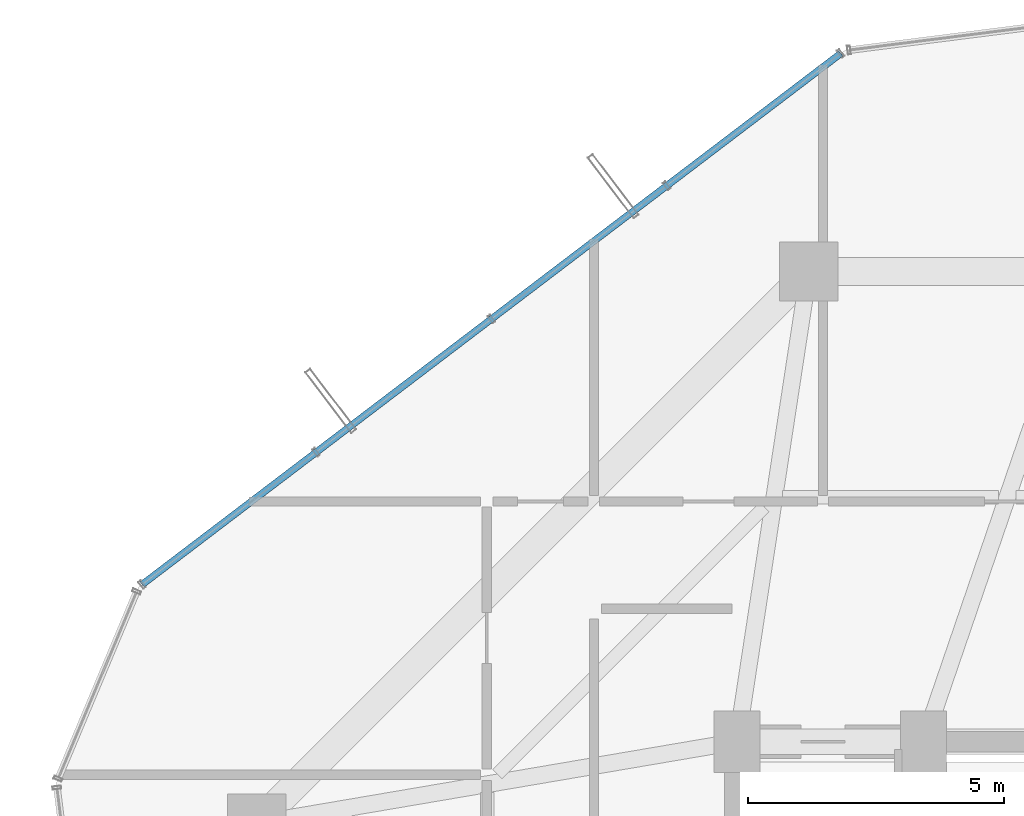
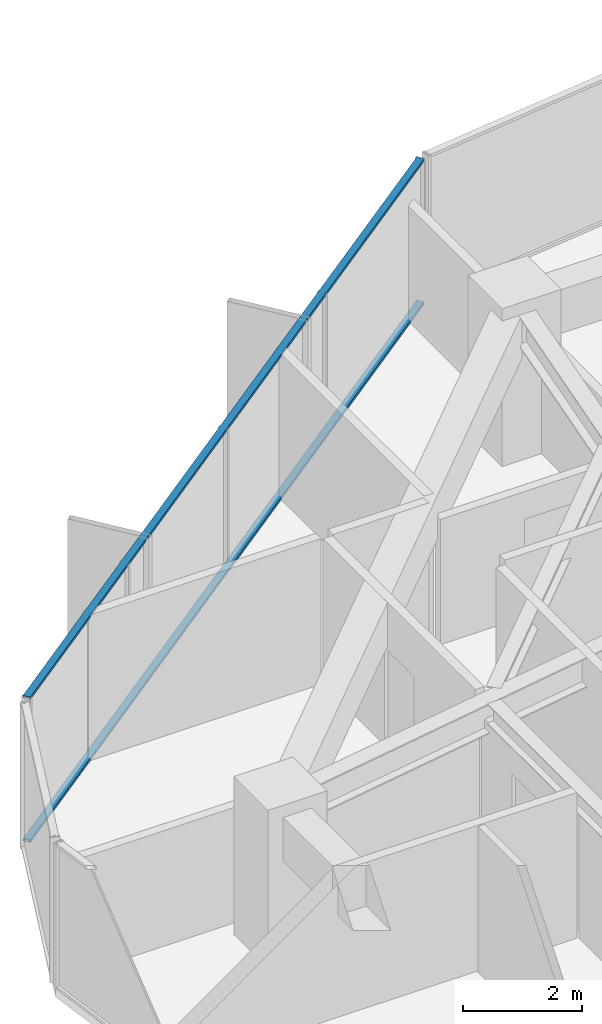
# One storey, part 20 of 33: 2 members, 1 element without a shape of its own.
"""IFC4 building model written with IfcOpenShell, lengths in metres."""

import ifcopenshell
import ifcopenshell.guid

model = None  # the IFC model being written
_history = None  # IfcOwnerHistory: only IFC2X3 demands one
_inside = {}  # id of a spatial element -> (the spatial element, [elements in it])
_under = {}  # id of a project, library or spatial element -> (it, [spatial elements below it])
_declared = {}  # id of a project -> (the project, [libraries it declares])
_typed = {}  # id of a type object -> (the type object, [elements of that type])
_made_of = {}  # id of a material, layer set ... -> (it, [elements and type objects made of it])


def new_model(schema):
    """Start an empty IFC model of exactly this schema.

    Asked for "IFC4X3", IfcOpenShell would pick the latest addendum, in which some entities
    have other attributes; the version numbers below select the first issue.
    IFC2X3 requires an IfcOwnerHistory on every rooted entity: one is made here for all.
    """
    global model, _history
    if schema == "IFC4X3":
        model = ifcopenshell.file(schema_version=(4, 3, 0, 0))
    else:
        model = ifcopenshell.file(schema=schema)
    _inside.clear()
    _under.clear()
    _declared.clear()
    _typed.clear()
    _made_of.clear()
    _history = None
    if model.schema == "IFC2X3":
        org = make("IfcOrganization", Name="unknown")
        user = make(
            "IfcPersonAndOrganization",
            ThePerson=make("IfcPerson", FamilyName="unknown"),
            TheOrganization=org,
        )
        app = make(
            "IfcApplication",
            ApplicationDeveloper=org,
            Version="unknown",
            ApplicationFullName="unknown",
            ApplicationIdentifier="unknown",
        )
        _history = make(
            "IfcOwnerHistory",
            OwningUser=user,
            OwningApplication=app,
            ChangeAction="ADDED",
            CreationDate=0,
        )
    return model


def make(cls, **values):
    """One entity of the class cls with the attributes given. An attribute that is None is left unset."""
    return model.create_entity(
        cls, **{name: value for name, value in values.items() if value is not None}
    )


def rooted(cls, **values):
    """An entity with a GlobalId (a new one), such as an element, a storey or a relation."""
    return make(cls, GlobalId=ifcopenshell.guid.new(), OwnerHistory=_history, **values)


def si_unit(unit_type, name, prefix=None):
    """IfcSIUnit, for example si_unit("LENGTHUNIT", "METRE", prefix="MILLI")."""
    return make("IfcSIUnit", UnitType=unit_type, Prefix=prefix, Name=name)


def assignment(units):
    """IfcUnitAssignment: the units of a project."""
    return None if units is None else make("IfcUnitAssignment", Units=units)


def point(xyz):
    """IfcCartesianPoint."""
    return None if xyz is None else make("IfcCartesianPoint", Coordinates=xyz)


def direction(xyz):
    """IfcDirection."""
    return None if xyz is None else make("IfcDirection", DirectionRatios=xyz)


def frame(location, z_axis=None, x_axis=None):
    """IfcAxis2Placement3D, a coordinate frame: its origin and axes. An axis left out is left unset."""
    return make(
        "IfcAxis2Placement3D",
        Location=point(location),
        Axis=direction(z_axis),
        RefDirection=direction(x_axis),
    )


def frame_2d(location, x_axis=None):
    """IfcAxis2Placement2D, a coordinate frame in the plane: its origin and x axis."""
    return make(
        "IfcAxis2Placement2D", Location=point(location), RefDirection=direction(x_axis)
    )


def origin():
    """The frame at (0, 0, 0) with its axes left unset."""
    return frame((0.0, 0.0, 0.0))


def origin_2d():
    """The frame at (0, 0) in the plane with its x axis left unset."""
    return frame_2d((0.0, 0.0))


def place(relative_to, where):
    """IfcLocalPlacement: puts the frame where relative to a parent placement (None: the world)."""
    return make(
        "IfcLocalPlacement", PlacementRelTo=relative_to, RelativePlacement=where
    )


def context(
    kind, dimensions, precision=None, world=None, true_north=None, identifier=None
):
    """IfcGeometricRepresentationContext, for example the 3D "Model" context."""
    return make(
        "IfcGeometricRepresentationContext",
        ContextIdentifier=identifier,
        ContextType=kind,
        CoordinateSpaceDimension=dimensions,
        Precision=precision,
        WorldCoordinateSystem=world,
        TrueNorth=true_north,
    )


def subcontext(parent, identifier, kind, view, scale=None):
    """IfcGeometricRepresentationSubContext, for example "Body" below "Model"."""
    return make(
        "IfcGeometricRepresentationSubContext",
        ContextIdentifier=identifier,
        ContextType=kind,
        ParentContext=parent,
        TargetScale=scale,
        TargetView=view,
    )


def project(units=None, contexts=None):
    """IfcProject with its units and contexts."""
    return rooted(
        "IfcProject",
        Name="project",
        RepresentationContexts=contexts,
        UnitsInContext=assignment(units),
    )


def spatial(cls, under=None, at=None, **own):
    """A site, building, storey or space (cls), placed at a placement, below another one or the project."""
    s = rooted(cls, ObjectPlacement=at, **own)
    if under is not None:
        _under.setdefault(under.id(), (under, []))[1].append(s)
    return s


def profile(cls, at=None, kind="AREA", **sizes):
    """A parametric profile (cls). Its sizes go by their IFC names, for example OverallWidth=200.0."""
    return make(cls, ProfileType=kind, Position=at, **sizes)


def hollow_rectangle(**sizes):
    """IfcRectangleHollowProfileDef."""
    return profile("IfcRectangleHollowProfileDef", **sizes)


def extrude(swept, where, along, depth):
    """IfcExtrudedAreaSolid: the profile swept, set in the frame where, extruded along a direction by depth."""
    return make(
        "IfcExtrudedAreaSolid",
        SweptArea=swept,
        Position=where,
        ExtrudedDirection=direction(along),
        Depth=depth,
    )


def shape(context_of_items, identifier, shape_type, items):
    """IfcShapeRepresentation: the items that make up one representation, for example the "Body"."""
    return make(
        "IfcShapeRepresentation",
        ContextOfItems=context_of_items,
        RepresentationIdentifier=identifier,
        RepresentationType=shape_type,
        Items=items,
    )


def source(mapping_origin, context_of_items, identifier, shape_type, items):
    """IfcRepresentationMap: a shape defined once, which mapped items show again and again."""
    return make(
        "IfcRepresentationMap",
        MappingOrigin=mapping_origin,
        MappedRepresentation=shape(context_of_items, identifier, shape_type, items),
    )


def transform(
    local_origin,
    x_axis=None,
    y_axis=None,
    z_axis=None,
    scale=None,
    scale2=None,
    scale3=None,
    uniform=True,
):
    """IfcCartesianTransformationOperator3D, or its non-uniform kind. x_axis, y_axis, z_axis: its Axis1, 2, 3."""
    if uniform:
        return make(
            "IfcCartesianTransformationOperator3D",
            Axis1=direction(x_axis),
            Axis2=direction(y_axis),
            LocalOrigin=point(local_origin),
            Scale=scale,
            Axis3=direction(z_axis),
        )
    return make(
        "IfcCartesianTransformationOperator3DnonUniform",
        Axis1=direction(x_axis),
        Axis2=direction(y_axis),
        LocalOrigin=point(local_origin),
        Scale=scale,
        Axis3=direction(z_axis),
        Scale2=scale2,
        Scale3=scale3,
    )


def mapped(mapping_source, mapping_target):
    """IfcMappedItem: shows the shape of a source again, moved by a transform."""
    return make(
        "IfcMappedItem", MappingSource=mapping_source, MappingTarget=mapping_target
    )


def material(Name=None, Category=None):
    """IfcMaterial."""
    return make("IfcMaterial", Name=Name, Category=Category)


def layer(
    of_material, thickness, ventilated=None, Name=None, Category=None, Priority=None
):
    """IfcMaterialLayer: one layer of a wall or slab, of a material (None: an air gap)."""
    return make(
        "IfcMaterialLayer",
        Material=of_material,
        LayerThickness=thickness,
        IsVentilated=ventilated,
        Name=Name,
        Category=Category,
        Priority=Priority,
    )


def layer_set(layers, Name=None):
    """IfcMaterialLayerSet."""
    return make("IfcMaterialLayerSet", MaterialLayers=layers, LayerSetName=Name)


def material_profile(
    of_material, cross_section, Name=None, Category=None, Priority=None
):
    """IfcMaterialProfile: a cross section and its material."""
    return make(
        "IfcMaterialProfile",
        Name=Name,
        Material=of_material,
        Profile=cross_section,
        Priority=Priority,
        Category=Category,
    )


def profile_set(profiles, Name=None, composite=None):
    """IfcMaterialProfileSet."""
    return make(
        "IfcMaterialProfileSet",
        Name=Name,
        MaterialProfiles=profiles,
        CompositeProfile=composite,
    )


def made_of(thing, what):
    """Note that an element or type object is made of a material, layer set ...; save() writes the relation."""
    if what is not None:
        _made_of.setdefault(what.id(), (what, []))[1].append(thing)
    return thing


def type_object(cls, material=None, **own):
    """A type object (cls), such as IfcWallType, which elements share."""
    return made_of(rooted(cls, **own), material)


def element(
    cls,
    number,
    at=None,
    inside=None,
    cuts=None,
    type_object=None,
    material=None,
    context=None,
    identifier="Body",
    shape_type=None,
    held_by="IfcProductDefinitionShape",
    body=None,
    shapes=None,
    **own,
):
    """One element of the class cls, such as IfcWall. Its Tag is "e" and its number.

    at: its placement. inside: the storey or other place that contains it. cuts: it is an
    opening in that element (IfcRelVoidsElement). A single representation is given by context,
    identifier, shape_type and body (its items); several are given by shapes. held_by: the class
    of the entity that holds the representations. save() writes the other relations.
    """
    e = rooted(cls, Tag="e%d" % number, ObjectPlacement=at, **own)
    if body is not None:
        shapes = [shape(context, identifier, shape_type, body)]
    if shapes is not None:
        e.Representation = make(held_by, Representations=shapes)
    if inside is not None:
        _inside.setdefault(inside.id(), (inside, []))[1].append(e)
    if cuts is not None:
        rooted(
            "IfcRelVoidsElement", RelatingBuildingElement=cuts, RelatedOpeningElement=e
        )
    if type_object is not None:
        _typed.setdefault(type_object.id(), (type_object, []))[1].append(e)
    return made_of(e, material)


def aggregate(whole, parts):
    """IfcRelAggregates: a whole, such as a stair, and the parts it consists of."""
    return rooted("IfcRelAggregates", RelatingObject=whole, RelatedObjects=parts)


def save(model, path):
    """Write the relations noted so far, then the file.

    IfcRelAggregates (storeys below a building ...), IfcRelContainedInSpatialStructure (elements
    in a storey), IfcRelDefinesByType, IfcRelAssociatesMaterial and IfcRelDeclares: one each for
    every whole, place, type object, material and project.
    """
    for whole, parts in _under.values():
        aggregate(whole, parts)
    for where, things in _inside.values():
        rooted(
            "IfcRelContainedInSpatialStructure",
            RelatedElements=things,
            RelatingStructure=where,
        )
    for kind, things in _typed.values():
        rooted("IfcRelDefinesByType", RelatedObjects=things, RelatingType=kind)
    for what, things in _made_of.values():
        rooted("IfcRelAssociatesMaterial", RelatedObjects=things, RelatingMaterial=what)
    for by, libraries in _declared.values():
        rooted("IfcRelDeclares", RelatingContext=by, RelatedDefinitions=libraries)
    model.write(path)


model = new_model("IFC4")

# Units and contexts
model_context = context("Model", 3, precision=1e-05, world=origin(), true_north=direction((0.0, 1.0)))
body_context = subcontext(model_context, "Body", "Model", "MODEL_VIEW")
ifc_project = project(units=[si_unit("LENGTHUNIT", "METRE"), si_unit("AREAUNIT", "SQUARE_METRE"), si_unit("VOLUMEUNIT", "CUBIC_METRE"), si_unit("PLANEANGLEUNIT", "RADIAN"), si_unit("MASSUNIT", "GRAM", prefix="KILO")], contexts=[model_context])

# Site, building, storey
site_placement = place(None, origin())
site = spatial("IfcSite", under=ifc_project, at=site_placement, CompositionType="ELEMENT")
building_placement = place(site_placement, origin())
building = spatial("IfcBuilding", under=site, at=building_placement, Name="Veraguas Prism Commons", CompositionType="ELEMENT")
storey_placement = place(building_placement, frame((0.0, 0.0, 152.25)))
storey = spatial("IfcBuildingStorey", under=building, at=storey_placement, Name="L43", CompositionType="ELEMENT", Elevation=152.25)

# Curtain wall, members
ifc_material = material(Name="Anodised aluminium EN AW-6063 T6", Category="aluminium")
ifc_layer = layer(ifc_material, 0.169921875, Name="Unitised Flush Curtain Wall Zone 2", Category="aluminium")
ifc_layer_set = layer_set([ifc_layer], Name="Anodised aluminium EN AW-6063 T6")
curtain_wall_type = type_object("IfcCurtainWallType", Name="Unitised Flush Curtain Wall Zone 2", PredefinedType="NOTDEFINED", material=ifc_layer_set)
curtain_wall_placement = place(storey_placement, origin())
curtain_wall = element("IfcCurtainWall", 1, at=curtain_wall_placement, inside=storey, type_object=curtain_wall_type, Name="Tower Facade Curtain Wall L43-F2", PredefinedType="NOTDEFINED")
ifc_material_profile = material_profile(ifc_material, hollow_rectangle(XDim=0.054931640625, YDim=0.135009765625, WallThickness=0.0029296875, at=origin_2d()), Name="AL55X135X3")
ifc_profile_set = profile_set([ifc_material_profile], Name="Anodised aluminium EN AW-6063 T6")
member_type = type_object("IfcMemberType", Name="Curtain Wall Transom Standard AL 55x135x3", PredefinedType="USERDEFINED", material=ifc_profile_set)
shared_shape = source(origin(), body_context, "Body", "SweptSolid", [
    extrude(hollow_rectangle(XDim=0.054931640625, YDim=0.135009765625, WallThickness=0.0029296875, at=origin_2d()), origin(), (0.0, 0.0, 1.0), 17.17431640625),
])
member_1_placement = place(storey_placement, frame((19.22802734375, 44.468017578125, 0.027587890625), z_axis=(-0.796102474225, -0.605161838299, 0.0), x_axis=(0.0, 0.0, 1.0)))
member_1 = element("IfcMember", 2, at=member_1_placement, type_object=member_type, Name="CW-Z2 Transom 1", ObjectType="TRANSOM", PredefinedType="USERDEFINED", context=body_context, shape_type="MappedRepresentation", body=[
    mapped(shared_shape, transform((0.0, 0.0, 0.0), scale=1.0)),
])
member_2_placement = place(storey_placement, frame((19.22802734375, 44.468017578125, 2.972412109375), z_axis=(-0.796102474225, -0.605161838299, 0.0), x_axis=(0.0, 0.0, 1.0)))
member_2 = element("IfcMember", 3, at=member_2_placement, type_object=member_type, Name="CW-Z2 Transom 2", ObjectType="TRANSOM", PredefinedType="USERDEFINED", context=body_context, shape_type="MappedRepresentation", body=[
    mapped(shared_shape, transform((0.0, 0.0, 0.0), scale=1.0)),
])
aggregate(curtain_wall, [member_1, member_2])

save(model, "model.ifc")
